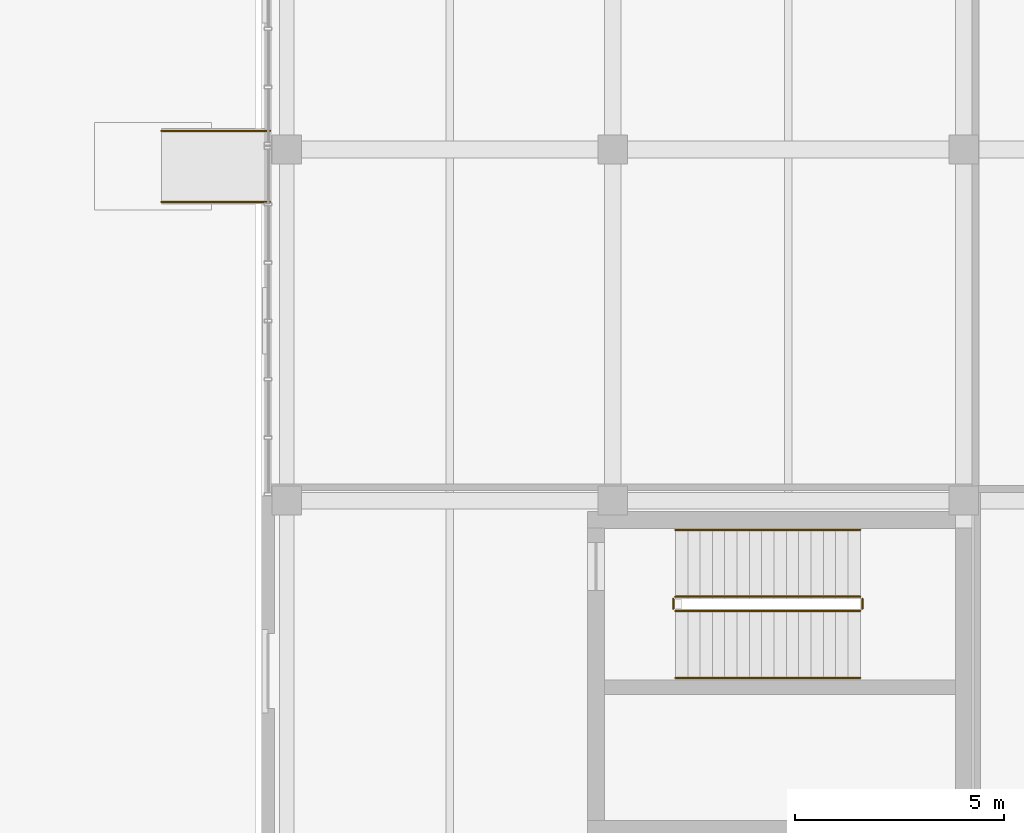
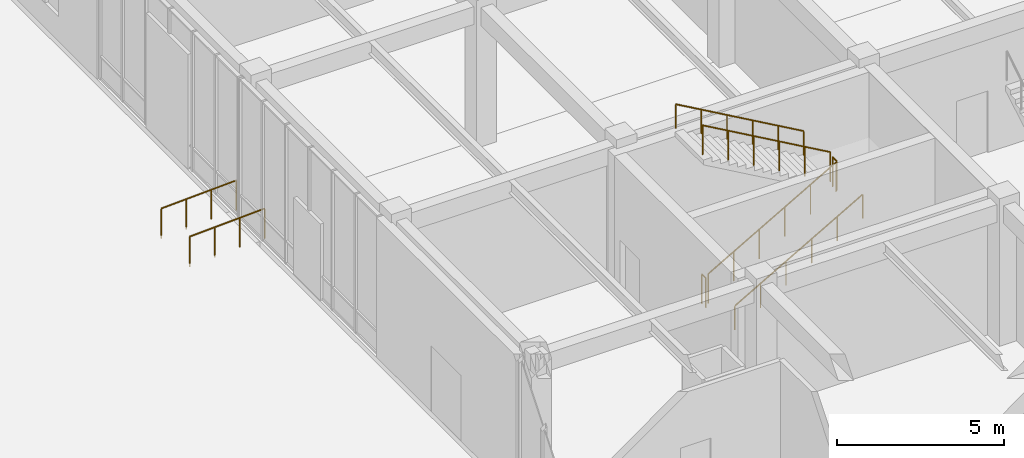
# One storey, part 110 of 122: 8 railings.
"""IFC4 building model written with IfcOpenShell, lengths in metres."""

from ifc_helpers import new_model, si_unit, direction, frame, origin, origin_2d, place, context, subcontext, project, spatial, circle, extrude, material, type_object, element, save


model = new_model("IFC4")

# Units and contexts
model_context = context("Model", 3, precision=1e-05, world=origin(), true_north=direction((0.0, 1.0)))
body_context = subcontext(model_context, "Body", "Model", "MODEL_VIEW")
ifc_project = project(units=[si_unit("LENGTHUNIT", "METRE"), si_unit("AREAUNIT", "SQUARE_METRE"), si_unit("VOLUMEUNIT", "CUBIC_METRE"), si_unit("PLANEANGLEUNIT", "RADIAN"), si_unit("MASSUNIT", "GRAM", prefix="KILO")], contexts=[model_context])

# Site, building, storey
site_placement = place(None, origin())
site = spatial("IfcSite", under=ifc_project, at=site_placement, CompositionType="ELEMENT")
building_placement = place(site_placement, origin())
building = spatial("IfcBuilding", under=site, at=building_placement, Name="Zayran Congress Hotel", CompositionType="ELEMENT")
storey_placement = place(building_placement, origin())
storey = spatial("IfcBuildingStorey", under=building, at=storey_placement, Name="L00", CompositionType="ELEMENT", Elevation=0.0)

# Railings
ifc_material_1 = material(Name="Warm bronze anodised aluminium balustrade", Category="aluminium")
railing_type_1 = type_object("IfcRailingType", Name="TP-GRD-EXT", PredefinedType="GUARDRAIL", material=ifc_material_1)
for number, where, name in (
    (1, (106.800048828125, 66.35009765625, -0.1201171875), "HND-RMP-05-L"),
    (2, (106.800048828125, 68.050048828125, -0.1201171875), "HND-RMP-05-R"),
):
    element("IfcRailing", number, at=place(storey_placement, frame(where)), inside=storey, type_object=railing_type_1, Name=name, PredefinedType="GUARDRAIL", context=body_context, shape_type="SweptSolid", body=[
        extrude(circle(Radius=0.02392578125, at=origin_2d()), frame((0.0, 0.0, 1.09619140625), z_axis=(0.998934415345, 0.0, 0.046152289638), x_axis=(0.0, 1.0, 0.0)), (0.0, 0.0, 1.0), 2.6025390625),
        extrude(circle(Radius=0.02099609375, at=origin_2d()), origin(), (0.0, 0.0, 1.0), 1.072021484375),
        extrude(circle(Radius=0.02099609375, at=origin_2d()), frame((0.86669921875, 0.0, 0.0400390625)), (0.0, 0.0, 1.0), 1.072021484375),
        extrude(circle(Radius=0.02099609375, at=origin_2d()), frame((1.733154296875, 0.0, 0.080078125)), (0.0, 0.0, 1.0), 1.072021484375),
        extrude(circle(Radius=0.02099609375, at=origin_2d()), frame((2.599853515625, 0.0, 0.1201171875)), (0.0, 0.0, 1.0), 1.072021484375),
    ])
ifc_material_2 = material(Name="Painted steel balustrade", Category="steel")
railing_type_2 = type_object("IfcRailingType", Name="TP-GRD-INT", PredefinedType="GUARDRAIL", material=ifc_material_2)
railing_1_placement = place(storey_placement, frame((119.10009765625, 56.56005859375, 0.168701171875)))
element("IfcRailing", 3, at=railing_1_placement, inside=storey, type_object=railing_type_2, Name="L00 ST-08 stair guard 1", PredefinedType="GUARDRAIL", context=body_context, shape_type="SweptSolid", body=[
    extrude(circle(Radius=0.02392578125, at=origin_2d()), frame((0.0, 0.0, 1.076171875), z_axis=(0.868007264643, 0.0, 0.496551496349), x_axis=(0.0, 1.0, 0.0)), (0.0, 0.0, 1.0), 5.09765625),
    extrude(circle(Radius=0.02099609375, at=origin_2d()), origin(), (0.0, 0.0, 1.0), 1.052001953125),
    extrude(circle(Radius=0.02099609375, at=origin_2d()), frame((0.885009765625, 0.0, 0.50634765625)), (0.0, 0.0, 1.0), 1.052001953125),
    extrude(circle(Radius=0.02099609375, at=origin_2d()), frame((1.77001953125, 0.0, 1.012451171875)), (0.0, 0.0, 1.0), 1.052001953125),
    extrude(circle(Radius=0.02099609375, at=origin_2d()), frame((2.65478515625, 0.0, 1.518798828125)), (0.0, 0.0, 1.0), 1.052001953125),
    extrude(circle(Radius=0.02099609375, at=origin_2d()), frame((3.539794921875, 0.0, 2.02490234375)), (0.0, 0.0, 1.0), 1.052001953125),
    extrude(circle(Radius=0.02099609375, at=origin_2d()), frame((4.4248046875, 0.0, 2.53125)), (0.0, 0.0, 1.0), 1.052001953125),
])
railing_2_placement = place(storey_placement, frame((123.574951171875, 56.610107421875, 2.699951171875)))
element("IfcRailing", 4, at=railing_2_placement, inside=storey, type_object=railing_type_2, Name="L00 ST-08 stair guard 2", PredefinedType="GUARDRAIL", context=body_context, shape_type="SweptSolid", body=[
    extrude(circle(Radius=0.02392578125, at=origin_2d()), frame((0.0, 0.0, 1.076171875), z_axis=(0.0, 1.0, 0.0), x_axis=(-1.0, 0.0, 0.0)), (0.0, 0.0, 1.0), 0.239990234375),
    extrude(circle(Radius=0.02099609375, at=origin_2d()), origin(), (0.0, 0.0, 1.0), 1.052001953125),
    extrude(circle(Radius=0.02099609375, at=origin_2d()), frame((0.0, 0.239990234375, 0.0)), (0.0, 0.0, 1.0), 1.052001953125),
])
railing_3_placement = place(storey_placement, frame((123.52490234375, 56.89990234375, 2.86865234375)))
element("IfcRailing", 5, at=railing_3_placement, inside=storey, type_object=railing_type_2, Name="L00 ST-08 stair guard 3", PredefinedType="GUARDRAIL", context=body_context, shape_type="SweptSolid", body=[
    extrude(circle(Radius=0.02392578125, at=origin_2d()), frame((0.0, 0.0, 1.076171875), z_axis=(-0.868007264643, 0.0, 0.496551496349), x_axis=(0.0, -1.0, 0.0)), (0.0, 0.0, 1.0), 5.09765625),
    extrude(circle(Radius=0.02099609375, at=origin_2d()), origin(), (0.0, 0.0, 1.0), 1.052001953125),
    extrude(circle(Radius=0.02099609375, at=origin_2d()), frame((-0.885009765625, 0.0, 0.50634765625)), (0.0, 0.0, 1.0), 1.052001953125),
    extrude(circle(Radius=0.02099609375, at=origin_2d()), frame((-1.77001953125, 0.0, 1.012451171875)), (0.0, 0.0, 1.0), 1.052001953125),
    extrude(circle(Radius=0.02099609375, at=origin_2d()), frame((-2.65478515625, 0.0, 1.518798828125)), (0.0, 0.0, 1.0), 1.052001953125),
    extrude(circle(Radius=0.02099609375, at=origin_2d()), frame((-3.539794921875, 0.0, 2.02490234375)), (0.0, 0.0, 1.0), 1.052001953125),
    extrude(circle(Radius=0.02099609375, at=origin_2d()), frame((-4.4248046875, 0.0, 2.53125)), (0.0, 0.0, 1.0), 1.052001953125),
])
railing_4_placement = place(storey_placement, frame((119.050048828125, 56.610107421875, 0.0)))
element("IfcRailing", 6, at=railing_4_placement, inside=storey, type_object=railing_type_2, Name="L00 ST-08 stair guard 4", PredefinedType="GUARDRAIL", context=body_context, shape_type="SweptSolid", body=[
    extrude(circle(Radius=0.02392578125, at=origin_2d()), frame((0.0, 0.0, 1.076171875), z_axis=(0.0, 1.0, 0.0), x_axis=(-1.0, 0.0, 0.0)), (0.0, 0.0, 1.0), 0.239990234375),
    extrude(circle(Radius=0.02099609375, at=origin_2d()), origin(), (0.0, 0.0, 1.0), 1.052001953125),
    extrude(circle(Radius=0.02099609375, at=origin_2d()), frame((0.0, 0.239990234375, 0.0)), (0.0, 0.0, 1.0), 1.052001953125),
])
ifc_material_3 = material(Name="Brushed stainless steel handrail", Category="steel")
railing_type_3 = type_object("IfcRailingType", Name="TP-HND-STR", PredefinedType="HANDRAIL", material=ifc_material_3)
railing_5_placement = place(storey_placement, frame((119.10009765625, 54.9599609375, 0.168701171875)))
element("IfcRailing", 7, at=railing_5_placement, inside=storey, type_object=railing_type_3, Name="L00 ST-08 stair handrail 1", PredefinedType="HANDRAIL", context=body_context, shape_type="SweptSolid", body=[
    extrude(circle(Radius=0.02392578125, at=origin_2d()), frame((0.0, 0.0, 0.8759765625), z_axis=(0.868007264643, 0.0, 0.496551496349), x_axis=(0.0, 1.0, 0.0)), (0.0, 0.0, 1.0), 5.09765625),
    extrude(circle(Radius=0.02099609375, at=origin_2d()), origin(), (0.0, 0.0, 1.0), 0.851806640625),
    extrude(circle(Radius=0.02099609375, at=origin_2d()), frame((0.885009765625, 0.0, 0.50634765625)), (0.0, 0.0, 1.0), 0.851806640625),
    extrude(circle(Radius=0.02099609375, at=origin_2d()), frame((1.77001953125, 0.0, 1.012451171875)), (0.0, 0.0, 1.0), 0.851806640625),
    extrude(circle(Radius=0.02099609375, at=origin_2d()), frame((2.65478515625, 0.0, 1.518798828125)), (0.0, 0.0, 1.0), 0.851806640625),
    extrude(circle(Radius=0.02099609375, at=origin_2d()), frame((3.539794921875, 0.0, 2.02490234375)), (0.0, 0.0, 1.0), 0.851806640625),
    extrude(circle(Radius=0.02099609375, at=origin_2d()), frame((4.4248046875, 0.0, 2.53125)), (0.0, 0.0, 1.0), 0.851806640625),
])
railing_6_placement = place(storey_placement, frame((123.52490234375, 58.5, 2.86865234375)))
element("IfcRailing", 8, at=railing_6_placement, inside=storey, type_object=railing_type_3, Name="L00 ST-08 stair handrail 2", PredefinedType="HANDRAIL", context=body_context, shape_type="SweptSolid", body=[
    extrude(circle(Radius=0.02392578125, at=origin_2d()), frame((0.0, 0.0, 0.8759765625), z_axis=(-0.868007264643, 0.0, 0.496551496349), x_axis=(0.0, -1.0, 0.0)), (0.0, 0.0, 1.0), 5.09765625),
    extrude(circle(Radius=0.02099609375, at=origin_2d()), origin(), (0.0, 0.0, 1.0), 0.851806640625),
    extrude(circle(Radius=0.02099609375, at=origin_2d()), frame((-0.885009765625, 0.0, 0.50634765625)), (0.0, 0.0, 1.0), 0.851806640625),
    extrude(circle(Radius=0.02099609375, at=origin_2d()), frame((-1.77001953125, 0.0, 1.012451171875)), (0.0, 0.0, 1.0), 0.851806640625),
    extrude(circle(Radius=0.02099609375, at=origin_2d()), frame((-2.65478515625, 0.0, 1.518798828125)), (0.0, 0.0, 1.0), 0.851806640625),
    extrude(circle(Radius=0.02099609375, at=origin_2d()), frame((-3.539794921875, 0.0, 2.02490234375)), (0.0, 0.0, 1.0), 0.851806640625),
    extrude(circle(Radius=0.02099609375, at=origin_2d()), frame((-4.4248046875, 0.0, 2.53125)), (0.0, 0.0, 1.0), 0.851806640625),
])

save(model, "model.ifc")
